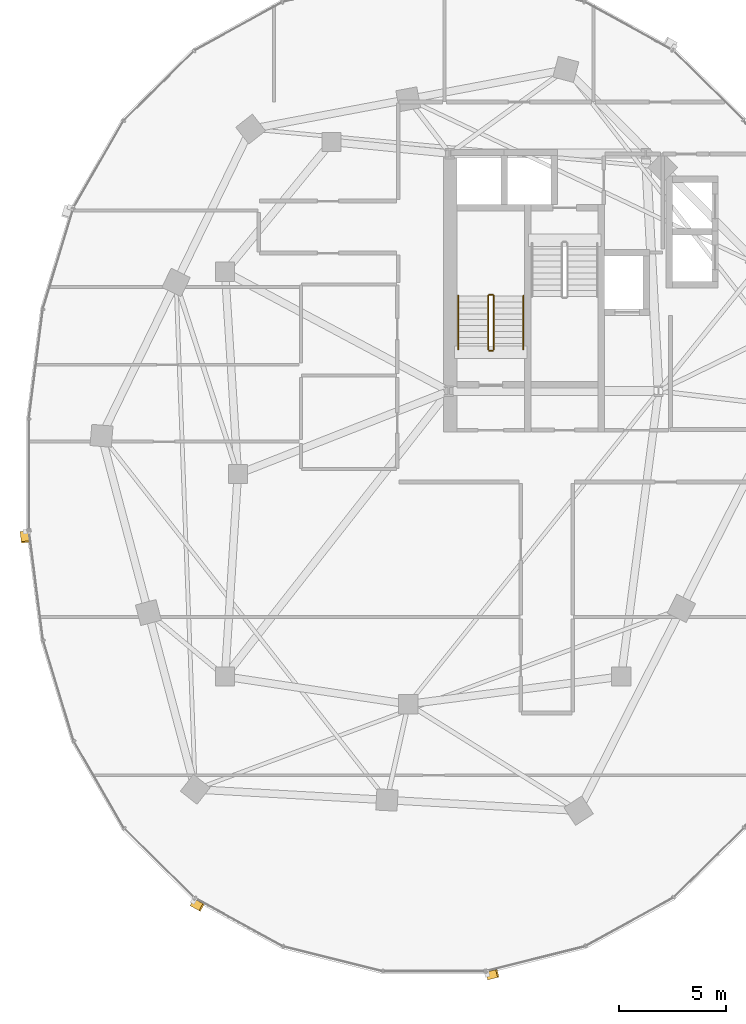
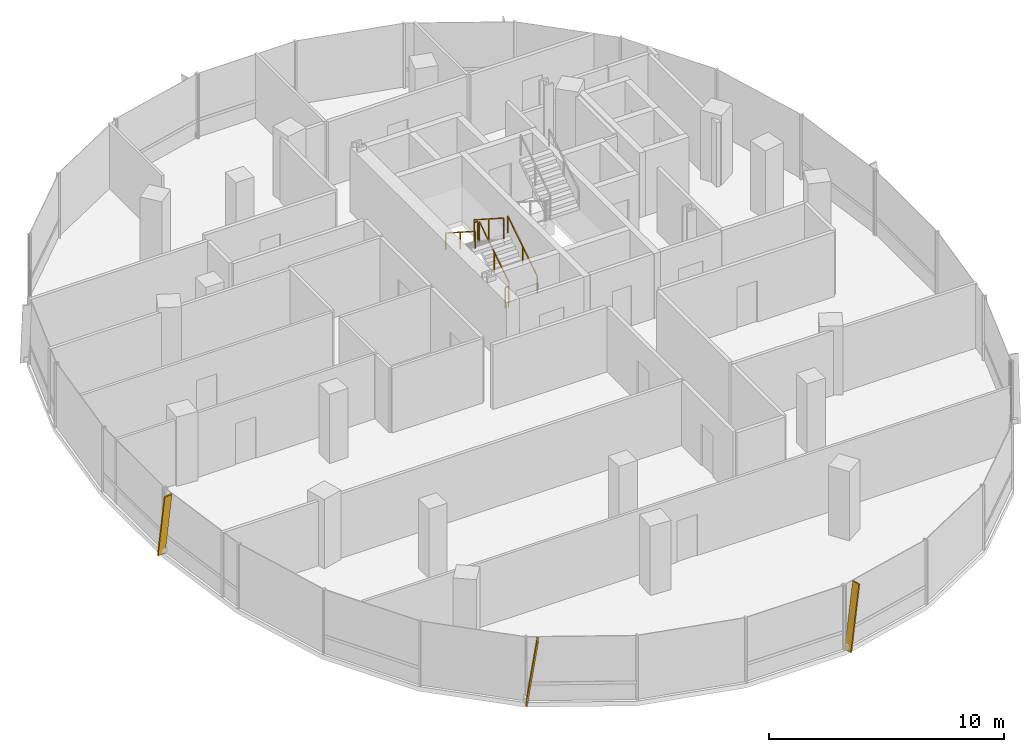
# One storey, part 19 of 23: 6 railings, 3 shading devices.
"""IFC4 building model written with IfcOpenShell, lengths in metres."""

from ifc_helpers import new_model, si_unit, direction, frame, origin, origin_2d, place, context, subcontext, project, spatial, rectangle, extrude, material, material_profile, profile_set, type_object, element, save


model = new_model("IFC4")

# Units and contexts
model_context = context("Model", 3, precision=1e-05, world=origin(), true_north=direction((0.0, 1.0)))
body_context = subcontext(model_context, "Body", "Model", "MODEL_VIEW")
ifc_project = project(units=[si_unit("LENGTHUNIT", "METRE"), si_unit("AREAUNIT", "SQUARE_METRE"), si_unit("VOLUMEUNIT", "CUBIC_METRE"), si_unit("PLANEANGLEUNIT", "RADIAN"), si_unit("MASSUNIT", "GRAM", prefix="KILO"), si_unit("THERMODYNAMICTEMPERATUREUNIT", "KELVIN"), si_unit("POWERUNIT", "WATT")], contexts=[model_context])

# Site, building, storey
site_placement = place(None, origin())
site = spatial("IfcSite", under=ifc_project, at=site_placement, CompositionType="ELEMENT")
building_placement = place(site_placement, origin())
building = spatial("IfcBuilding", under=site, at=building_placement, Name="Cundina Bronze Exchange", CompositionType="ELEMENT")
storey_placement = place(building_placement, frame((0.0, 0.0, 172.800048828125)))
storey = spatial("IfcBuildingStorey", under=building, at=storey_placement, Name="L45", CompositionType="ELEMENT", Elevation=172.800048828125)

# Railings
ifc_material_1 = material(Name="Steel ASTM A36 Painted", Category="steel")
railing_type_1 = type_object("IfcRailingType", Name="RLG-HND-900", PredefinedType="HANDRAIL", material=ifc_material_1)
railing_1_placement = place(storey_placement, frame((-27.7900390625, 5.85009765625, 0.179931640625)))
element("IfcRailing", 1, at=railing_1_placement, inside=storey, type_object=railing_type_1, Name="L45 ST-W1 stair handrail 1", PredefinedType="HANDRAIL", context=body_context, shape_type="SweptSolid", body=[
    extrude(rectangle(XDim=0.048095703125, YDim=0.048095703125, at=origin_2d()), frame((0.0, 0.0, 0.8759765625), z_axis=(0.0, 0.841162588446, 0.540782303519), x_axis=(-1.0, 0.0, 0.0)), (0.0, 0.0, 1.0), 2.995849609375),
    extrude(rectangle(XDim=0.0419921875, YDim=0.0419921875, at=origin_2d()), origin(), (0.0, 0.0, 1.0), 0.851806640625),
    extrude(rectangle(XDim=0.0419921875, YDim=0.0419921875, at=origin_2d()), frame((0.0, 1.260009765625, 0.81005859375)), (0.0, 0.0, 1.0), 0.851806640625),
    extrude(rectangle(XDim=0.0419921875, YDim=0.0419921875, at=origin_2d()), frame((0.0, 2.52001953125, 1.6201171875)), (0.0, 0.0, 1.0), 0.851806640625),
])
railing_2_placement = place(storey_placement, frame((-30.85009765625, 8.3701171875, 1.97998046875)))
element("IfcRailing", 2, at=railing_2_placement, inside=storey, type_object=railing_type_1, Name="L45 ST-W1 stair handrail 2", PredefinedType="HANDRAIL", context=body_context, shape_type="SweptSolid", body=[
    extrude(rectangle(XDim=0.048095703125, YDim=0.048095703125, at=origin_2d()), frame((0.0, 0.0, 0.8759765625), z_axis=(0.0, -0.841199657755, 0.540724639528), x_axis=(1.0, 0.0, 0.0)), (0.0, 0.0, 1.0), 2.995849609375),
    extrude(rectangle(XDim=0.0419921875, YDim=0.0419921875, at=origin_2d()), origin(), (0.0, 0.0, 1.0), 0.851806640625),
    extrude(rectangle(XDim=0.0419921875, YDim=0.0419921875, at=origin_2d()), frame((0.0, -1.260009765625, 0.81005859375)), (0.0, 0.0, 1.0), 0.851806640625),
    extrude(rectangle(XDim=0.0419921875, YDim=0.0419921875, at=origin_2d()), frame((0.0, -2.52001953125, 1.619873046875)), (0.0, 0.0, 1.0), 0.851806640625),
])
railing_type_2 = type_object("IfcRailingType", Name="RLG-STG-1100", PredefinedType="GUARDRAIL", material=ifc_material_1)
railing_3_placement = place(storey_placement, frame((-29.18994140625, 5.85009765625, 0.179931640625)))
element("IfcRailing", 3, at=railing_3_placement, inside=storey, type_object=railing_type_2, Name="L45 ST-W1 stair guard 1", PredefinedType="GUARDRAIL", context=body_context, shape_type="SweptSolid", body=[
    extrude(rectangle(XDim=0.048095703125, YDim=0.048095703125, at=origin_2d()), frame((0.0, 0.0, 1.076171875), z_axis=(0.0, 0.841162588446, 0.540782303519), x_axis=(-1.0, 0.0, 0.0)), (0.0, 0.0, 1.0), 2.995849609375),
    extrude(rectangle(XDim=0.0419921875, YDim=0.0419921875, at=origin_2d()), origin(), (0.0, 0.0, 1.0), 1.052001953125),
    extrude(rectangle(XDim=0.0419921875, YDim=0.0419921875, at=origin_2d()), frame((0.0, 1.260009765625, 0.81005859375)), (0.0, 0.0, 1.0), 1.052001953125),
    extrude(rectangle(XDim=0.0419921875, YDim=0.0419921875, at=origin_2d()), frame((0.0, 2.52001953125, 1.6201171875)), (0.0, 0.0, 1.0), 1.052001953125),
])
railing_4_placement = place(storey_placement, frame((-29.239990234375, 8.419921875, 1.800048828125)))
element("IfcRailing", 4, at=railing_4_placement, inside=storey, type_object=railing_type_2, Name="L45 ST-W1 stair guard 2", PredefinedType="GUARDRAIL", context=body_context, shape_type="SweptSolid", body=[
    extrude(rectangle(XDim=0.048095703125, YDim=0.048095703125, at=origin_2d()), frame((0.0, 0.0, 1.076171875), z_axis=(-1.0, 0.0, 0.0), x_axis=(0.0, -1.0, 0.0)), (0.0, 0.0, 1.0), 0.159912109375),
    extrude(rectangle(XDim=0.0419921875, YDim=0.0419921875, at=origin_2d()), origin(), (0.0, 0.0, 1.0), 1.052001953125),
    extrude(rectangle(XDim=0.0419921875, YDim=0.0419921875, at=origin_2d()), frame((-0.159912109375, 0.0, 0.0)), (0.0, 0.0, 1.0), 1.052001953125),
])
railing_5_placement = place(storey_placement, frame((-29.449951171875, 8.3701171875, 1.97998046875)))
element("IfcRailing", 5, at=railing_5_placement, inside=storey, type_object=railing_type_2, Name="L45 ST-W1 stair guard 3", PredefinedType="GUARDRAIL", context=body_context, shape_type="SweptSolid", body=[
    extrude(rectangle(XDim=0.048095703125, YDim=0.048095703125, at=origin_2d()), frame((0.0, 0.0, 1.076171875), z_axis=(0.0, -0.841199657755, 0.540724639528), x_axis=(1.0, 0.0, 0.0)), (0.0, 0.0, 1.0), 2.995849609375),
    extrude(rectangle(XDim=0.0419921875, YDim=0.0419921875, at=origin_2d()), origin(), (0.0, 0.0, 1.0), 1.052001953125),
    extrude(rectangle(XDim=0.0419921875, YDim=0.0419921875, at=origin_2d()), frame((0.0, -1.260009765625, 0.81005859375)), (0.0, 0.0, 1.0), 1.052001953125),
    extrude(rectangle(XDim=0.0419921875, YDim=0.0419921875, at=origin_2d()), frame((0.0, -2.52001953125, 1.619873046875)), (0.0, 0.0, 1.0), 1.052001953125),
])
railing_6_placement = place(storey_placement, frame((-29.239990234375, 5.800048828125, 0.0)))
element("IfcRailing", 6, at=railing_6_placement, inside=storey, type_object=railing_type_2, Name="L45 ST-W1 stair guard 4", PredefinedType="GUARDRAIL", context=body_context, shape_type="SweptSolid", body=[
    extrude(rectangle(XDim=0.048095703125, YDim=0.048095703125, at=origin_2d()), frame((0.0, 0.0, 1.076171875), z_axis=(-1.0, 0.0, 0.0), x_axis=(0.0, -1.0, 0.0)), (0.0, 0.0, 1.0), 0.159912109375),
    extrude(rectangle(XDim=0.0419921875, YDim=0.0419921875, at=origin_2d()), origin(), (0.0, 0.0, 1.0), 1.052001953125),
    extrude(rectangle(XDim=0.0419921875, YDim=0.0419921875, at=origin_2d()), frame((-0.159912109375, 0.0, 0.0)), (0.0, 0.0, 1.0), 1.052001953125),
])

# Shading devices
ifc_material_2 = material(Name="Anodised Bronze Aluminium 6063-T6", Category="aluminium")
ifc_material_profile = material_profile(ifc_material_2, rectangle(XDim=0.070068359375, YDim=0.3798828125, at=origin_2d()), Name="FIN70X380", Category="aluminium")
ifc_profile_set = profile_set([ifc_material_profile], Name="Anodised Bronze Aluminium 6063-T6")
shading_device_type = type_object("IfcShadingDeviceType", Name="SHD-FIN-BRZ380", PredefinedType="USERDEFINED", material=ifc_profile_set)
for number, where, z_axis, x_axis, name in (
    (7, (-51.23486328125, -2.705810546875, 0.02001953125), (0.018123110499, -0.141927973785, 0.989711070527), (-0.125360600332, 0.981739641151, 0.143080386066), "L45 Diagonal Bronze Solar Fin 1"),
    (8, (-43.320068359375, -20.11181640625, 0.02001953125), (0.125333488691, -0.068998924088, 0.989712415345), (-0.867010347902, 0.477308832643, 0.143071083426), "L45 Diagonal Bronze Solar Fin 5"),
    (9, (-29.48046875, -23.556396484375, 0.02001953125), (0.138798398751, 0.034717795597, 0.989711917263), (-0.960131970194, -0.240158861973, 0.143074528925), "L45 Diagonal Bronze Solar Fin 1"),
):
    element("IfcShadingDevice", number, at=place(storey_placement, frame(where, z_axis=z_axis, x_axis=x_axis)), inside=storey, type_object=shading_device_type, Name=name, ObjectType="FIN", PredefinedType="USERDEFINED", context=body_context, shape_type="SweptSolid", body=[
        extrude(rectangle(XDim=0.070068359375, YDim=0.3798828125, at=origin_2d()), origin(), (0.0, 0.0, 1.0), 3.354248046875),
    ])

save(model, "model.ifc")
